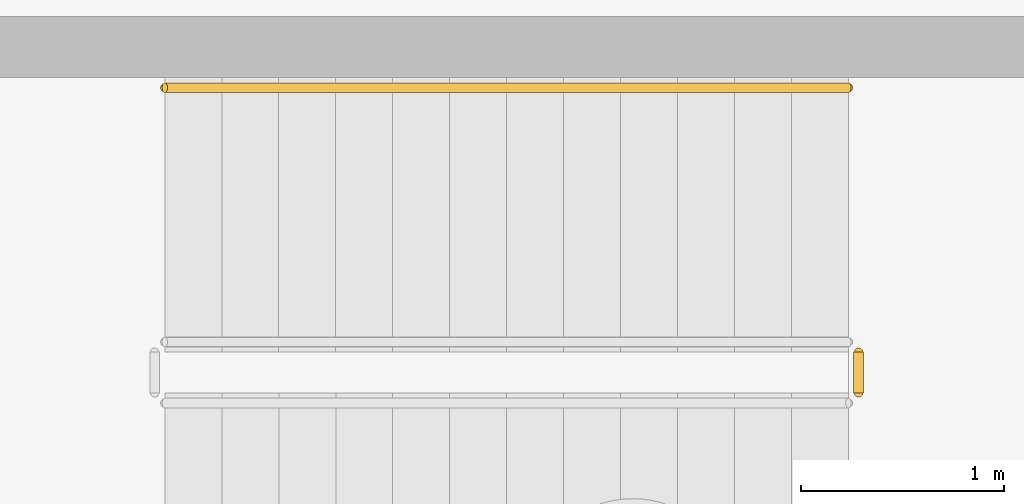
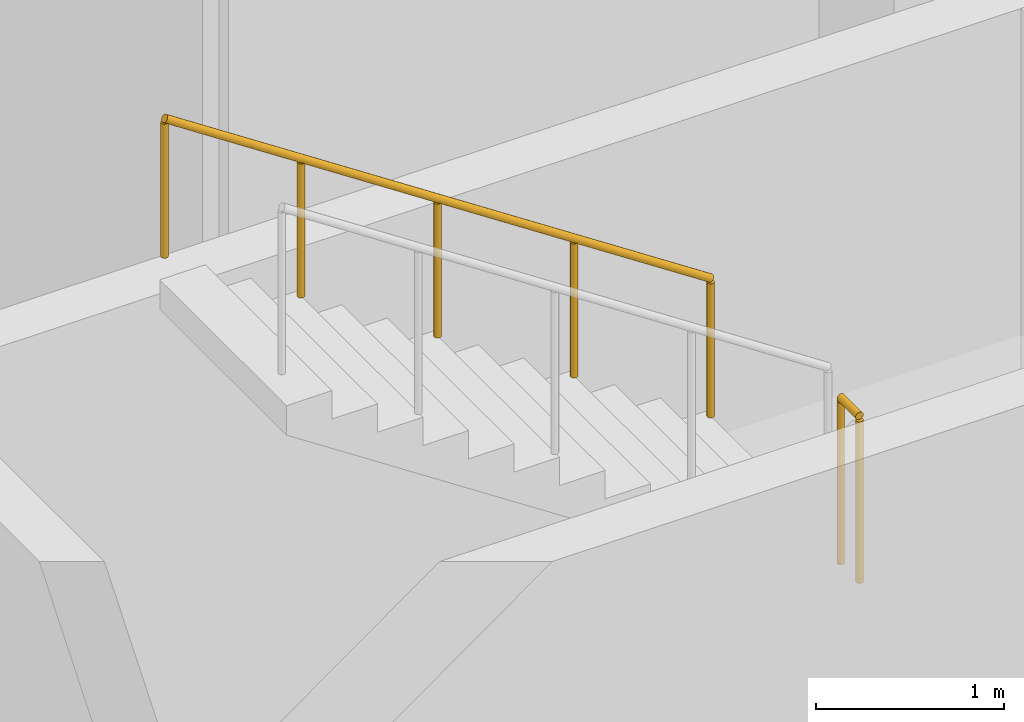
# One storey, part 279 of 285: 2 railings.
"""IFC4 building model written with IfcOpenShell, lengths in metres."""

from ifc_helpers import new_model, si_unit, direction, frame, origin, origin_2d, place, context, subcontext, project, spatial, circle, extrude, material, layer, layer_set, type_object, element, save


model = new_model("IFC4")

# Units and contexts
model_context = context("Model", 3, precision=1e-05, world=origin(), true_north=direction((0.0, 1.0)))
body_context = subcontext(model_context, "Body", "Model", "MODEL_VIEW")
ifc_project = project(units=[si_unit("LENGTHUNIT", "METRE"), si_unit("AREAUNIT", "SQUARE_METRE"), si_unit("VOLUMEUNIT", "CUBIC_METRE"), si_unit("PLANEANGLEUNIT", "RADIAN"), si_unit("MASSUNIT", "GRAM", prefix="KILO")], contexts=[model_context])

# Site, building, storey
site_placement = place(None, origin())
site = spatial("IfcSite", under=ifc_project, at=site_placement, CompositionType="ELEMENT")
building_placement = place(site_placement, origin())
building = spatial("IfcBuilding", under=site, at=building_placement, Name="Solanera Park Tramway Depot", CompositionType="ELEMENT")
storey_placement = place(building_placement, origin())
storey = spatial("IfcBuildingStorey", under=building, at=storey_placement, Name="L00", CompositionType="ELEMENT", Elevation=0.0)

# Railings
ifc_material_1 = material(Name="Brushed stainless steel 316 handrail", Category="steel")
ifc_layer_1 = layer(ifc_material_1, 0.050048828125)
ifc_layer_set_1 = layer_set([ifc_layer_1], Name="Brushed stainless steel 316 handrail")
railing_type_1 = type_object("IfcRailingType", Name="Stair Pitch Tubular Handrail 920", PredefinedType="HANDRAIL", material=ifc_layer_set_1)
railing_1_placement = place(storey_placement, frame((177.4599609375, 23.050048828125, 2.584716796875)))
element("IfcRailing", 1, at=railing_1_placement, inside=storey, type_object=railing_type_1, Name="ST-04 L00 Pitch Handrail 2", PredefinedType="HANDRAIL", context=body_context, shape_type="SweptSolid", body=[
    extrude(circle(Radius=0.02392578125, at=origin_2d()), frame((0.0, 0.0, 0.89599609375), z_axis=(-0.834858096282, 0.0, 0.550465220583), x_axis=(0.0, -1.0, 0.0)), (0.0, 0.0, 1.0), 4.0244140625),
    extrude(circle(Radius=0.02099609375, at=origin_2d()), origin(), (0.0, 0.0, 1.0), 0.871826171875),
    extrude(circle(Radius=0.02099609375, at=origin_2d()), frame((-0.83984375, 0.0, 0.5537109375)), (0.0, 0.0, 1.0), 0.871826171875),
    extrude(circle(Radius=0.02099609375, at=origin_2d()), frame((-1.679931640625, 0.0, 1.107666015625)), (0.0, 0.0, 1.0), 0.871826171875),
    extrude(circle(Radius=0.02099609375, at=origin_2d()), frame((-2.52001953125, 0.0, 1.66162109375)), (0.0, 0.0, 1.0), 0.871826171875),
    extrude(circle(Radius=0.02099609375, at=origin_2d()), frame((-3.35986328125, 0.0, 2.21533203125)), (0.0, 0.0, 1.0), 0.871826171875),
])
ifc_material_2 = material(Name="Steel AS/NZS 1163 Grade C350L0", Category="steel")
ifc_layer_2 = layer(ifc_material_2, 0.06005859375)
ifc_layer_set_2 = layer_set([ifc_layer_2], Name="Steel AS/NZS 1163 Grade C350L0")
railing_type_2 = type_object("IfcRailingType", Name="Stairwell Guardrail 1100", PredefinedType="GUARDRAIL", material=ifc_layer_set_2)
railing_2_placement = place(storey_placement, frame((177.510009765625, 21.550048828125, 2.39990234375)))
element("IfcRailing", 2, at=railing_2_placement, inside=storey, type_object=railing_type_2, Name="ST-04 L00 Well Guard 2", PredefinedType="GUARDRAIL", context=body_context, shape_type="SweptSolid", body=[
    extrude(circle(Radius=0.02392578125, at=origin_2d()), frame((0.0, 0.0, 1.076171875), z_axis=(0.0, 1.0, 0.0), x_axis=(-1.0, 0.0, 0.0)), (0.0, 0.0, 1.0), 0.199951171875),
    extrude(circle(Radius=0.02099609375, at=origin_2d()), origin(), (0.0, 0.0, 1.0), 1.052001953125),
    extrude(circle(Radius=0.02099609375, at=origin_2d()), frame((0.0, 0.199951171875, 0.0)), (0.0, 0.0, 1.0), 1.052001953125),
])

save(model, "model.ifc")
